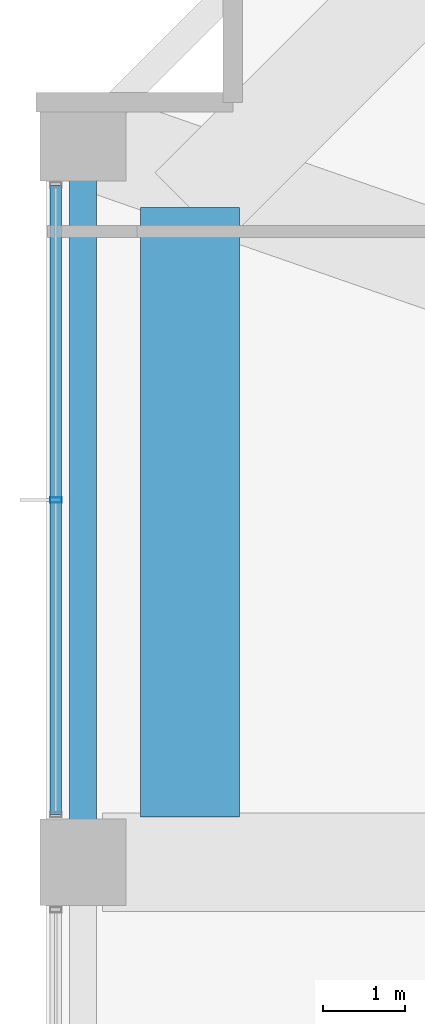
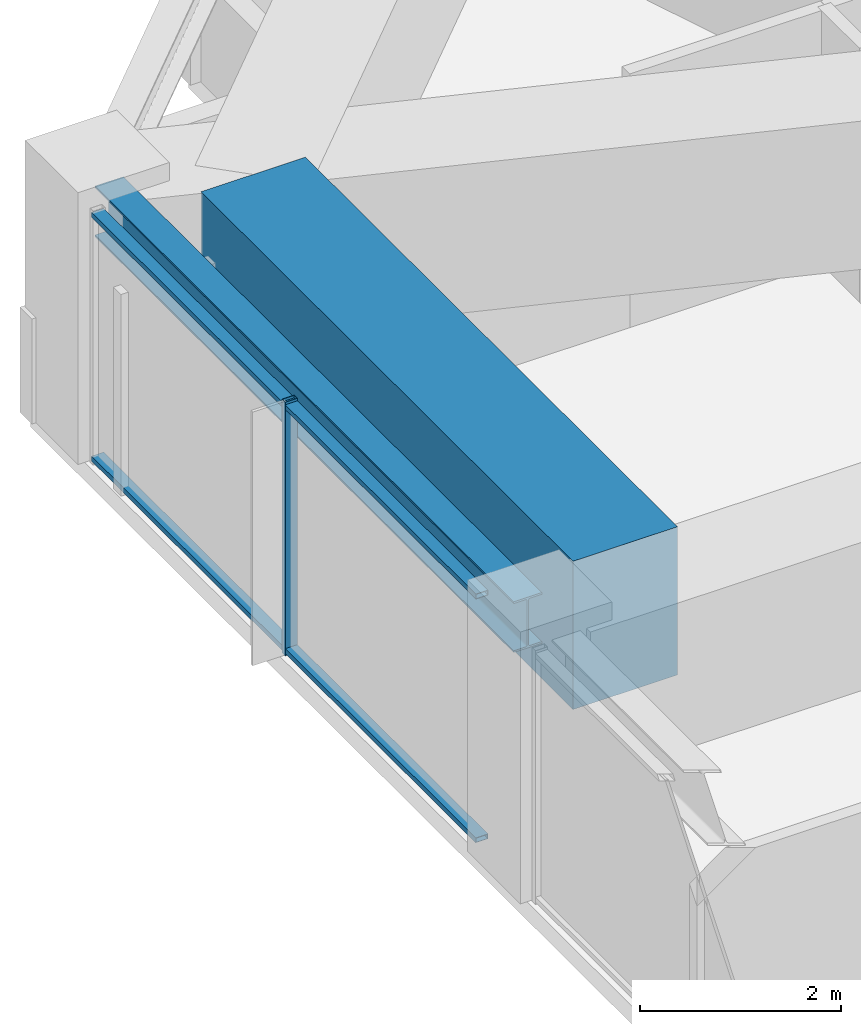
# One storey, part 10 of 34: 3 members, 2 beams, 1 element without a shape of its own.
"""IFC4 building model written with IfcOpenShell, lengths in metres."""

from ifc_helpers import new_model, si_unit, direction, frame, origin, origin_2d, place, context, subcontext, project, spatial, rectangle, hollow_rectangle, i_section, extrude, material, material_profile, profile_set, type_object, element, aggregate, save


model = new_model("IFC4")

# Units and contexts
model_context = context("Model", 3, precision=1e-05, world=origin(), true_north=direction((0.0, 1.0)))
body_context = subcontext(model_context, "Body", "Model", "MODEL_VIEW")
ifc_project = project(units=[si_unit("LENGTHUNIT", "METRE"), si_unit("AREAUNIT", "SQUARE_METRE"), si_unit("VOLUMEUNIT", "CUBIC_METRE"), si_unit("PLANEANGLEUNIT", "RADIAN"), si_unit("MASSUNIT", "GRAM", prefix="KILO")], contexts=[model_context])

# Site, building, storey
site_placement = place(None, origin())
site = spatial("IfcSite", under=ifc_project, at=site_placement, CompositionType="ELEMENT")
building_placement = place(site_placement, origin())
building = spatial("IfcBuilding", under=site, at=building_placement, Name="Kolvaren Belvedere", CompositionType="ELEMENT")
storey_placement = place(building_placement, frame((0.0, 0.0, 105.199951171875)))
storey = spatial("IfcBuildingStorey", under=building, at=storey_placement, Name="L30", CompositionType="ELEMENT", Elevation=105.199951171875)

# Beams
ifc_material_1 = material(Name="Structural steel ASTM A992 Grade 50", Category="steel")
ifc_material_profile_1 = material_profile(ifc_material_1, i_section(OverallWidth=0.324951171875, OverallDepth=0.615966796875, WebThickness=0.013916015625, FlangeThickness=0.021484375, FilletRadius=0.02001953125, at=origin_2d()), Name="W24X117")
ifc_profile_set_1 = profile_set([ifc_material_profile_1], Name="Structural steel ASTM A992 Grade 50")
beam_type_1 = type_object("IfcBeamType", Name="BM-SPAN-W24X117", PredefinedType="SPANDREL", material=ifc_profile_set_1)
beam_1_placement = place(storey_placement, frame((-19.949951171875, 13.163818359375, 2.77197265625), z_axis=(0.0, -1.0, 0.0), x_axis=(1.0, 0.0, 0.0)))
element("IfcBeam", 1, at=beam_1_placement, inside=storey, type_object=beam_type_1, Name="L30 Perimeter Spandrel W4-W3", PredefinedType="SPANDREL", context=body_context, shape_type="SweptSolid", body=[
    extrude(i_section(OverallWidth=0.324951171875, OverallDepth=0.615966796875, WebThickness=0.013916015625, FlangeThickness=0.021484375, FilletRadius=0.02001953125, at=origin_2d()), origin(), (0.0, 0.0, 1.0), 8.32763671875),
])
ifc_material_2 = material(Name="Concrete C50/60", Category="concrete")
ifc_material_profile_2 = material_profile(ifc_material_2, rectangle(XDim=1.199951171875, YDim=1.800048828125, at=origin_2d()), Name="RC 1200X1800")
ifc_profile_set_2 = profile_set([ifc_material_profile_2], Name="Concrete C50/60")
beam_type_2 = type_object("IfcBeamType", Name="BM-TG-1800", PredefinedType="BEAM", material=ifc_profile_set_2)
beam_2_placement = place(storey_placement, frame((-18.64990234375, 12.550048828125, 2.179931640625), z_axis=(0.0, -1.0, 0.0), x_axis=(1.0, 0.0, 0.0)))
element("IfcBeam", 2, at=beam_2_placement, inside=storey, type_object=beam_type_2, Name="L30 Step Transfer Ring Girder W4-W3", PredefinedType="BEAM", context=body_context, shape_type="SweptSolid", body=[
    extrude(rectangle(XDim=1.199951171875, YDim=1.800048828125, at=origin_2d()), origin(), (0.0, 0.0, 1.0), 7.400146484375),
])

# Curtain wall, members
ifc_material_3 = material(Name="Anodised pale-metal aluminium AA 6063-T6", Category="aluminium")
curtain_wall_type = type_object("IfcCurtainWallType", Name="CW-Z2-MID", PredefinedType="NOTDEFINED", material=ifc_material_3)
curtain_wall_placement = place(storey_placement, origin())
curtain_wall = element("IfcCurtainWall", 3, at=curtain_wall_placement, inside=storey, type_object=curtain_wall_type, Name="L30 Unitised Curtain Wall FCW-L30-W-B3", PredefinedType="NOTDEFINED")
ifc_material_4 = material(Name="Anodised pale-metal aluminium AA 6063-T6", Category="aluminium")
ifc_material_profile_3 = material_profile(ifc_material_4, hollow_rectangle(XDim=0.06494140625, YDim=0.139892578125, WallThickness=0.00390625, at=origin_2d()), Name="ALU-MUL-140X65")
ifc_profile_set_3 = profile_set([ifc_material_profile_3], Name="Anodised pale-metal aluminium AA 6063-T6")
member_type_1 = type_object("IfcMemberType", Name="CW-MUL-140", PredefinedType="MULLION", material=ifc_profile_set_3)
member_1_placement = place(storey_placement, frame((-20.280029296875, 9.0, 0.0), z_axis=(0.0, 0.0, 1.0), x_axis=(0.0, 1.0, 0.0)))
member_1 = element("IfcMember", 4, at=member_1_placement, type_object=member_type_1, Name="FCW-L30-W-B3 Unitised Mullion 2", PredefinedType="MULLION", context=body_context, shape_type="SweptSolid", body=[
    extrude(hollow_rectangle(XDim=0.06494140625, YDim=0.139892578125, WallThickness=0.00390625, at=origin_2d()), origin(), (0.0, 0.0, 1.0), 3.080078125),
])
ifc_material_5 = material(Name="Anodised pale-metal aluminium AA 6063-T6", Category="aluminium")
ifc_material_profile_4 = material_profile(ifc_material_5, hollow_rectangle(XDim=0.06005859375, YDim=0.139892578125, WallThickness=0.00390625, at=origin_2d()), Name="ALU-TRN-140X60")
ifc_profile_set_4 = profile_set([ifc_material_profile_4], Name="Anodised pale-metal aluminium AA 6063-T6")
member_type_2 = type_object("IfcMemberType", Name="CW-TRN-140", PredefinedType="USERDEFINED", material=ifc_profile_set_4)
member_2_placement = place(storey_placement, frame((-20.280029296875, 5.177490234375, 0.06005859375), z_axis=(0.0, 1.0, 0.0), x_axis=(0.0, 0.0, 1.0)))
member_2 = element("IfcMember", 5, at=member_2_placement, type_object=member_type_2, Name="FCW-L30-W-B3 Sill Transom", ObjectType="TRANSOM", PredefinedType="USERDEFINED", context=body_context, shape_type="SweptSolid", body=[
    extrude(hollow_rectangle(XDim=0.06005859375, YDim=0.139892578125, WallThickness=0.00390625, at=origin_2d()), origin(), (0.0, 0.0, 1.0), 7.64501953125),
])
member_3_placement = place(storey_placement, frame((-20.280029296875, 5.177490234375, 3.02001953125), z_axis=(0.0, 1.0, 0.0), x_axis=(0.0, 0.0, 1.0)))
member_3 = element("IfcMember", 6, at=member_3_placement, type_object=member_type_2, Name="FCW-L30-W-B3 Head Transom", ObjectType="TRANSOM", PredefinedType="USERDEFINED", context=body_context, shape_type="SweptSolid", body=[
    extrude(hollow_rectangle(XDim=0.06005859375, YDim=0.139892578125, WallThickness=0.00390625, at=origin_2d()), origin(), (0.0, 0.0, 1.0), 7.64501953125),
])
aggregate(curtain_wall, [member_1, member_2, member_3])

save(model, "model.ifc")
